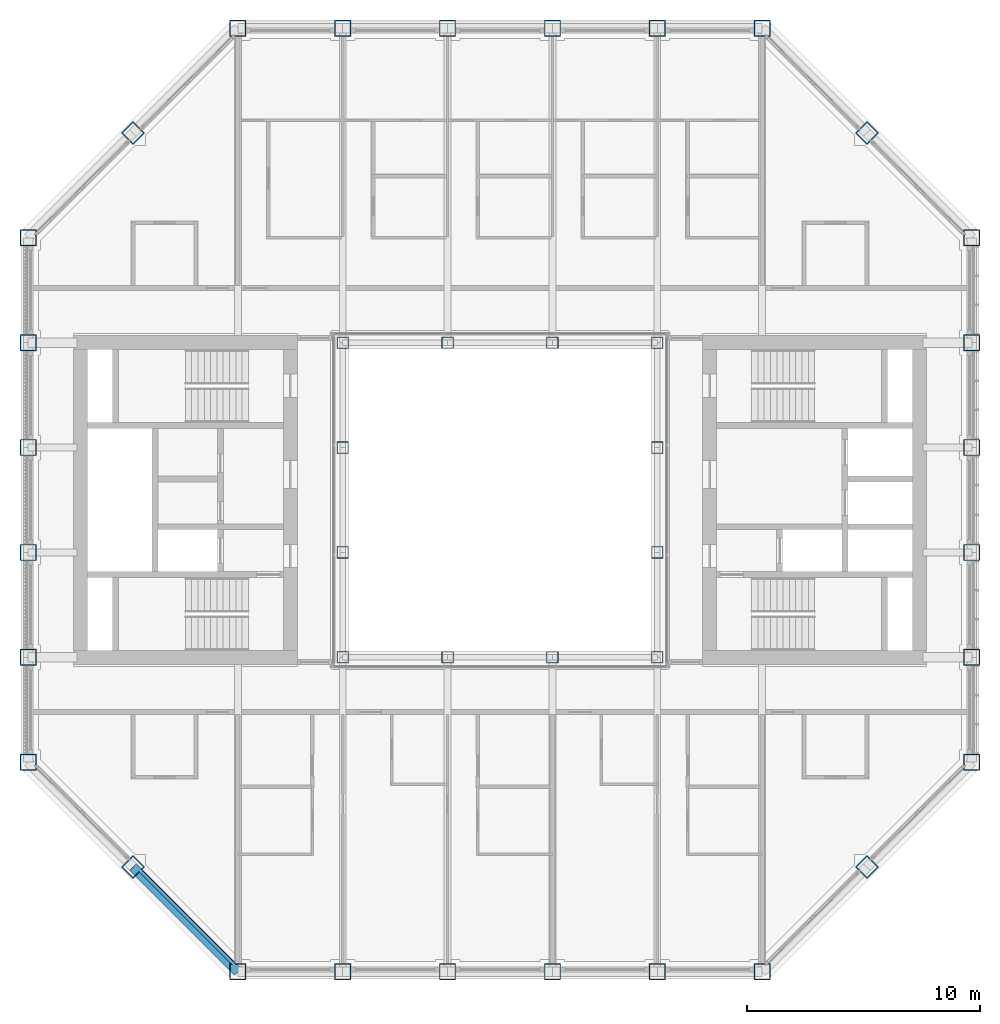
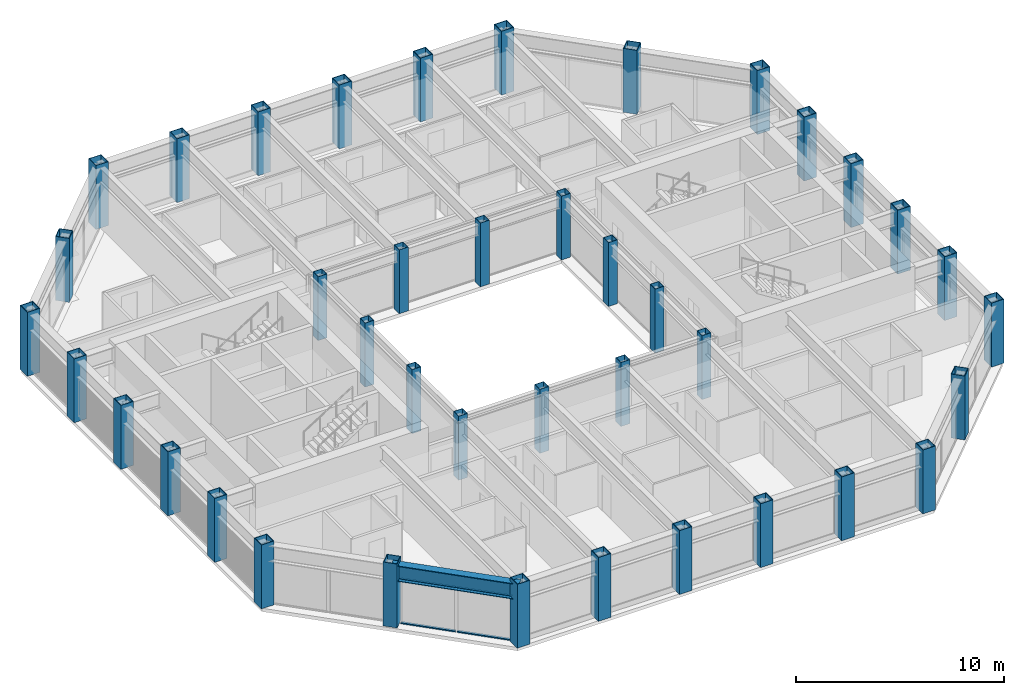
# One storey, part 1 of 18: 40 columns, 4 members, 1 beam, 1 element without a shape of its own.
"""IFC4 building model written with IfcOpenShell, lengths in metres."""

from ifc_helpers import new_model, si_unit, direction, frame, origin, origin_2d, place, context, subcontext, project, spatial, rectangle, hollow_rectangle, i_section, extrude, material, material_profile, profile_set, type_object, element, aggregate, save


model = new_model("IFC4")

# Units and contexts
model_context = context("Model", 3, precision=1e-05, world=origin(), true_north=direction((0.0, 1.0)))
body_context = subcontext(model_context, "Body", "Model", "MODEL_VIEW")
ifc_project = project(units=[si_unit("LENGTHUNIT", "METRE"), si_unit("AREAUNIT", "SQUARE_METRE"), si_unit("VOLUMEUNIT", "CUBIC_METRE"), si_unit("PLANEANGLEUNIT", "RADIAN"), si_unit("MASSUNIT", "GRAM", prefix="KILO")], contexts=[model_context])

# Site, building, storey
site_placement = place(None, origin())
site = spatial("IfcSite", under=ifc_project, at=site_placement, CompositionType="ELEMENT")
building_placement = place(site_placement, origin())
building = spatial("IfcBuilding", under=site, at=building_placement, Name="Msasa Ring Tower", CompositionType="ELEMENT")
storey_placement = place(building_placement, frame((0.0, 0.0, 249.550048828125)))
storey = spatial("IfcBuildingStorey", under=building, at=storey_placement, Name="L65", CompositionType="ELEMENT", Elevation=249.550048828125)

# Columns
ifc_material_1 = material(Name="Steel S355", Category="steel")
ifc_material_profile_1 = material_profile(ifc_material_1, hollow_rectangle(XDim=0.5, YDim=0.5, WallThickness=0.02490234375, at=origin_2d()), Name="BOX 500x500x25")
ifc_profile_set_1 = profile_set([ifc_material_profile_1], Name="Steel S355")
column_type_1 = type_object("IfcColumnType", Name="IC7 BOX 500x500x25", PredefinedType="COLUMN", material=ifc_profile_set_1)
for number, where, z_axis, x_axis, name in (
    (1, (-6.75, -6.75, 0.0), (0.0, 0.0, 1.0), (1.0, 0.0, 0.0), "Inner ring column IR-6.75-6.75 L65"),
    (2, (-6.75, -2.25, 0.0), (0.0, 0.0, 1.0), (1.0, 0.0, 0.0), "Inner ring column IR-6.75-2.25 L65"),
    (3, (-6.75, 2.25, 0.0), (0.0, 0.0, 1.0), (1.0, 0.0, 0.0), "Inner ring column IR-6.75+2.25 L65"),
    (4, (-6.75, 6.75, 0.0), (0.0, 0.0, 1.0), (1.0, 0.0, 0.0), "Inner ring column IR-6.75+6.75 L65"),
    (5, (-2.25, -6.75, 0.0), (0.0, 0.0, 1.0), (1.0, 0.0, 0.0), "Inner ring column IR-2.25-6.75 L65"),
    (6, (-2.25, 6.75, 0.0), (0.0, 0.0, 1.0), (1.0, 0.0, 0.0), "Inner ring column IR-2.25+6.75 L65"),
    (7, (2.25, -6.75, 0.0), (0.0, 0.0, 1.0), (1.0, 0.0, 0.0), "Inner ring column IR+2.25-6.75 L65"),
    (8, (2.25, 6.75, 0.0), (0.0, 0.0, 1.0), (1.0, 0.0, 0.0), "Inner ring column IR+2.25+6.75 L65"),
    (9, (6.75, -6.75, 0.0), (0.0, 0.0, 1.0), (1.0, 0.0, 0.0), "Inner ring column IR+6.75-6.75 L65"),
    (10, (6.75, -2.25, 0.0), (0.0, 0.0, 1.0), (1.0, 0.0, 0.0), "Inner ring column IR+6.75-2.25 L65"),
    (11, (6.75, 2.25, 0.0), (0.0, 0.0, 1.0), (1.0, 0.0, 0.0), "Inner ring column IR+6.75+2.25 L65"),
    (12, (6.75, 6.75, 0.0), (0.0, 0.0, 1.0), (1.0, 0.0, 0.0), "Inner ring column IR+6.75+6.75 L65"),
):
    element("IfcColumn", number, at=place(storey_placement, frame(where, z_axis=z_axis, x_axis=x_axis)), inside=storey, type_object=column_type_1, Name=name, PredefinedType="COLUMN", context=body_context, shape_type="SweptSolid", body=[
        extrude(hollow_rectangle(XDim=0.5, YDim=0.5, WallThickness=0.02490234375, at=origin_2d()), origin(), (0.0, 0.0, 1.0), 3.75),
    ])
ifc_material_2 = material(Name="Steel S355", Category="steel")
ifc_material_profile_2 = material_profile(ifc_material_2, hollow_rectangle(XDim=0.699951171875, YDim=0.699951171875, WallThickness=0.034912109375, at=origin_2d()), Name="BOX 700x700x35")
ifc_profile_set_2 = profile_set([ifc_material_profile_2], Name="Steel S355")
column_type_2 = type_object("IfcColumnType", Name="TC8 BOX 700x700x35", PredefinedType="COLUMN", material=ifc_profile_set_2)
for number, where, z_axis, x_axis, name in (
    (13, (-11.25, -20.25, 0.0), (0.0, 0.0, 1.0), (0.0, 1.0, 0.0), "Tube column S-11.25 L65"),
    (14, (-11.25, 20.25, 0.0), (0.0, 0.0, 1.0), (0.0, 1.0, 0.0), "Tube column N-11.25 L65"),
    (15, (20.25, -11.25, 0.0), (0.0, 0.0, 1.0), (1.0, 0.0, 0.0), "Tube column E-11.25 L65"),
    (16, (-20.25, -11.25, 0.0), (0.0, 0.0, 1.0), (1.0, 0.0, 0.0), "Tube column W-11.25 L65"),
    (17, (-6.75, -20.25, 0.0), (0.0, 0.0, 1.0), (0.0, 1.0, 0.0), "Tube column S-6.75 L65"),
    (18, (-6.75, 20.25, 0.0), (0.0, 0.0, 1.0), (0.0, 1.0, 0.0), "Tube column N-6.75 L65"),
    (19, (20.25, -6.75, 0.0), (0.0, 0.0, 1.0), (1.0, 0.0, 0.0), "Tube column E-6.75 L65"),
    (20, (-20.25, -6.75, 0.0), (0.0, 0.0, 1.0), (1.0, 0.0, 0.0), "Tube column W-6.75 L65"),
    (21, (-2.25, -20.25, 0.0), (0.0, 0.0, 1.0), (0.0, 1.0, 0.0), "Tube column S-2.25 L65"),
    (22, (-2.25, 20.25, 0.0), (0.0, 0.0, 1.0), (0.0, 1.0, 0.0), "Tube column N-2.25 L65"),
    (23, (20.25, -2.25, 0.0), (0.0, 0.0, 1.0), (1.0, 0.0, 0.0), "Tube column E-2.25 L65"),
    (24, (-20.25, -2.25, 0.0), (0.0, 0.0, 1.0), (1.0, 0.0, 0.0), "Tube column W-2.25 L65"),
    (25, (2.25, -20.25, 0.0), (0.0, 0.0, 1.0), (0.0, 1.0, 0.0), "Tube column S+2.25 L65"),
    (26, (2.25, 20.25, 0.0), (0.0, 0.0, 1.0), (0.0, 1.0, 0.0), "Tube column N+2.25 L65"),
    (27, (20.25, 2.25, 0.0), (0.0, 0.0, 1.0), (1.0, 0.0, 0.0), "Tube column E+2.25 L65"),
    (28, (-20.25, 2.25, 0.0), (0.0, 0.0, 1.0), (1.0, 0.0, 0.0), "Tube column W+2.25 L65"),
    (29, (6.75, -20.25, 0.0), (0.0, 0.0, 1.0), (0.0, 1.0, 0.0), "Tube column S+6.75 L65"),
    (30, (6.75, 20.25, 0.0), (0.0, 0.0, 1.0), (0.0, 1.0, 0.0), "Tube column N+6.75 L65"),
    (31, (20.25, 6.75, 0.0), (0.0, 0.0, 1.0), (1.0, 0.0, 0.0), "Tube column E+6.75 L65"),
    (32, (-20.25, 6.75, 0.0), (0.0, 0.0, 1.0), (1.0, 0.0, 0.0), "Tube column W+6.75 L65"),
    (33, (11.25, -20.25, 0.0), (0.0, 0.0, 1.0), (0.0, 1.0, 0.0), "Tube column S+11.25 L65"),
    (34, (11.25, 20.25, 0.0), (0.0, 0.0, 1.0), (0.0, 1.0, 0.0), "Tube column N+11.25 L65"),
    (35, (20.25, 11.25, 0.0), (0.0, 0.0, 1.0), (1.0, 0.0, 0.0), "Tube column E+11.25 L65"),
    (36, (-20.25, 11.25, 0.0), (0.0, 0.0, 1.0), (1.0, 0.0, 0.0), "Tube column W+11.25 L65"),
    (37, (15.75, -15.75, 0.0), (0.0, 0.0, 1.0), (0.707106781187, -0.707106781187, 0.0), "Tube column SE L65"),
    (38, (15.75, 15.75, 0.0), (0.0, 0.0, 1.0), (0.707106781187, 0.707106781187, 0.0), "Tube column NE L65"),
    (39, (-15.75, 15.75, 0.0), (0.0, 0.0, 1.0), (0.707106781187, -0.707106781187, 0.0), "Tube column NW L65"),
    (40, (-15.75, -15.75, 0.0), (0.0, 0.0, 1.0), (0.707106781187, 0.707106781187, 0.0), "Tube column SW L65"),
):
    element("IfcColumn", number, at=place(storey_placement, frame(where, z_axis=z_axis, x_axis=x_axis)), inside=storey, type_object=column_type_2, Name=name, PredefinedType="COLUMN", context=body_context, shape_type="SweptSolid", body=[
        extrude(hollow_rectangle(XDim=0.699951171875, YDim=0.699951171875, WallThickness=0.034912109375, at=origin_2d()), origin(), (0.0, 0.0, 1.0), 3.75),
    ])

# Curtain wall, members
ifc_material_3 = material(Name="Aluminium curtain wall with clear glass", Category="aluminium")
curtain_wall_type = type_object("IfcCurtainWallType", Name="CW-C CHAMFER CORNER CURTAIN WALL", PredefinedType="NOTDEFINED", material=ifc_material_3)
curtain_wall_placement = place(storey_placement, origin())
curtain_wall = element("IfcCurtainWall", 41, at=curtain_wall_placement, inside=storey, type_object=curtain_wall_type, Name="Chamfer corner curtain wall SW L65", PredefinedType="NOTDEFINED")
ifc_material_4 = material(Name="Aluminium transom", Category="aluminium")
ifc_material_profile_3 = material_profile(ifc_material_4, rectangle(XDim=0.139892578125, YDim=0.06494140625, at=origin_2d()), Name="AL 65x140")
ifc_profile_set_3 = profile_set([ifc_material_profile_3], Name="Aluminium transom")
member_type = type_object("IfcMemberType", Name="CW-C TRANSOM 65x140", PredefinedType="USERDEFINED", material=ifc_profile_set_3)
member_1_placement = place(storey_placement, frame((-15.38232421875, -15.976318359375, 0.032470703125), z_axis=(0.707106781187, -0.707106781187, 0.0), x_axis=(0.707106781187, 0.707106781187, 0.0)))
member_1 = element("IfcMember", 42, at=member_1_placement, type_object=member_type, Name="CW-C transom 1.1", ObjectType="TRANSOM", PredefinedType="USERDEFINED", context=body_context, shape_type="SweptSolid", body=[
    extrude(rectangle(XDim=0.139892578125, YDim=0.06494140625, at=origin_2d()), origin(), (0.0, 0.0, 1.0), 2.729248046875),
])
member_2_placement = place(storey_placement, frame((-15.38232421875, -15.976318359375, 2.596435546875), z_axis=(0.707106781187, -0.707106781187, 0.0), x_axis=(0.707106781187, 0.707106781187, 0.0)))
member_2 = element("IfcMember", 43, at=member_2_placement, type_object=member_type, Name="CW-C transom 1.2", ObjectType="TRANSOM", PredefinedType="USERDEFINED", context=body_context, shape_type="SweptSolid", body=[
    extrude(rectangle(XDim=0.139892578125, YDim=0.06494140625, at=origin_2d()), origin(), (0.0, 0.0, 1.0), 2.729248046875),
])
member_3_placement = place(storey_placement, frame((-13.40625, -17.952392578125, 0.032470703125), z_axis=(0.707106781187, -0.707106781187, 0.0), x_axis=(0.707106781187, 0.707106781187, 0.0)))
member_3 = element("IfcMember", 44, at=member_3_placement, type_object=member_type, Name="CW-C transom 2.1", ObjectType="TRANSOM", PredefinedType="USERDEFINED", context=body_context, shape_type="SweptSolid", body=[
    extrude(rectangle(XDim=0.139892578125, YDim=0.06494140625, at=origin_2d()), origin(), (0.0, 0.0, 1.0), 2.729248046875),
])
member_4_placement = place(storey_placement, frame((-13.40625, -17.952392578125, 2.596435546875), z_axis=(0.707106781187, -0.707106781187, 0.0), x_axis=(0.707106781187, 0.707106781187, 0.0)))
member_4 = element("IfcMember", 45, at=member_4_placement, type_object=member_type, Name="CW-C transom 2.2", ObjectType="TRANSOM", PredefinedType="USERDEFINED", context=body_context, shape_type="SweptSolid", body=[
    extrude(rectangle(XDim=0.139892578125, YDim=0.06494140625, at=origin_2d()), origin(), (0.0, 0.0, 1.0), 2.729248046875),
])
aggregate(curtain_wall, [member_1, member_2, member_3, member_4])

# Beam
ifc_material_5 = material(Name="Steel S355", Category="steel")
ifc_material_profile_4 = material_profile(ifc_material_5, i_section(OverallWidth=0.42041015625, OverallDepth=0.9208984375, WebThickness=0.021484375, FlangeThickness=0.03662109375, FilletRadius=0.024169921875, at=origin_2d()), Name="UB 914x419x388")
ifc_profile_set_4 = profile_set([ifc_material_profile_4], Name="Steel S355")
beam_type = type_object("IfcBeamType", Name="SB1 UB 914x419x388", PredefinedType="SPANDREL", material=ifc_profile_set_4)
beam_placement = place(storey_placement, frame((-15.75, -15.75, 3.08935546875), z_axis=(0.707106781187, -0.707106781187, 0.0), x_axis=(0.707106781187, 0.707106781187, 0.0)))
element("IfcBeam", 46, at=beam_placement, inside=storey, type_object=beam_type, Name="Spandrel SW to S-11.25 under L66", PredefinedType="SPANDREL", context=body_context, shape_type="SweptSolid", body=[
    extrude(i_section(OverallWidth=0.42041015625, OverallDepth=0.9208984375, WebThickness=0.021484375, FlangeThickness=0.03662109375, FilletRadius=0.024169921875, at=origin_2d()), origin(), (0.0, 0.0, 1.0), 6.364013671875),
])

save(model, "model.ifc")
